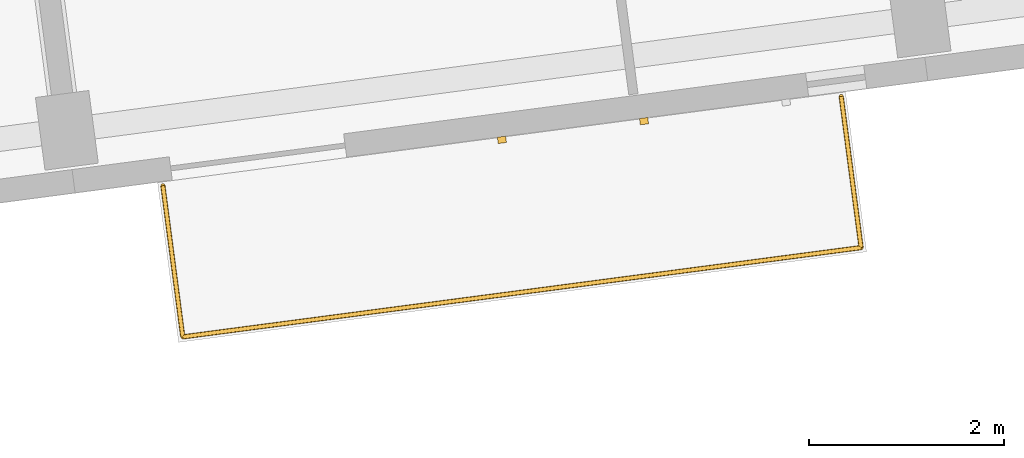
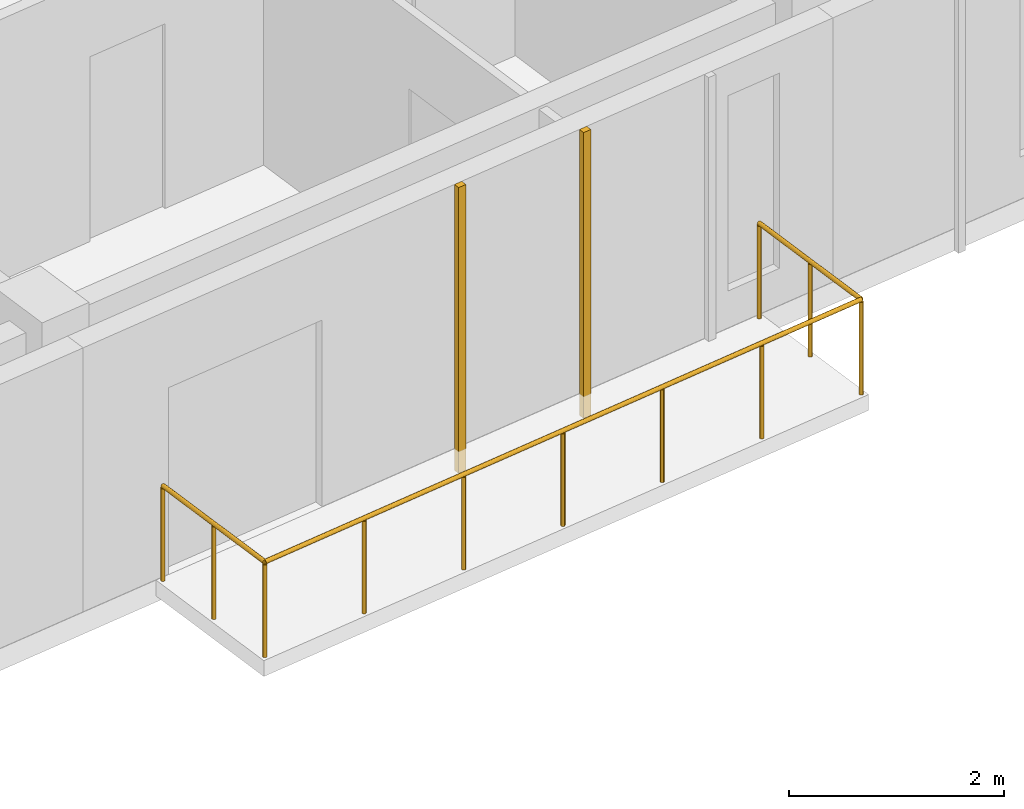
# One storey, part 43 of 66: 2 coverings, 1 railing.
"""IFC4 building model written with IfcOpenShell, lengths in metres."""

from ifc_helpers import new_model, si_unit, direction, frame, origin, origin_2d, place, context, subcontext, project, spatial, rectangle, circle, extrude, material, layer, layer_set, type_object, element, save


model = new_model("IFC4")

# Units and contexts
model_context = context("Model", 3, precision=1e-05, world=origin(), true_north=direction((0.0, 1.0)))
body_context = subcontext(model_context, "Body", "Model", "MODEL_VIEW")
ifc_project = project(units=[si_unit("LENGTHUNIT", "METRE"), si_unit("AREAUNIT", "SQUARE_METRE"), si_unit("VOLUMEUNIT", "CUBIC_METRE"), si_unit("PLANEANGLEUNIT", "RADIAN"), si_unit("MASSUNIT", "GRAM", prefix="KILO")], contexts=[model_context])

# Site, building, storey
site_placement = place(None, origin())
site = spatial("IfcSite", under=ifc_project, at=site_placement, CompositionType="ELEMENT")
building_placement = place(site_placement, origin())
building = spatial("IfcBuilding", under=site, at=building_placement, Name="Kestramere Prow Commons", CompositionType="ELEMENT")
storey_placement = place(building_placement, frame((0.0, 0.0, 14.89990234375)))
storey = spatial("IfcBuildingStorey", under=building, at=storey_placement, Name="L04", CompositionType="ELEMENT", Elevation=14.89990234375)

# Coverings
ifc_material_1 = material(Name="Weathered Zinc-Titanium Standing-Seam Cladding")
ifc_layer = layer(ifc_material_1, 0.074951171875)
ifc_layer_set = layer_set([ifc_layer], Name="Weathered Zinc-Titanium Standing-Seam Cladding")
covering_type = type_object("IfcCoveringType", Name="COV-CLAD-SEAM", PredefinedType="CLADDING", material=ifc_layer_set)
for number, where, z_axis, x_axis, name in (
    (1, (34.554443359375, 74.391357421875, -0.25), (0.0, 0.0, 1.0), (-0.991444861374, -0.13052619222, 0.0), "EW-A-L04-S-2 Standing-Seam Rib 2"),
    (2, (33.100341796875, 74.199951171875, -0.25), (0.0, 0.0, 1.0), (-0.991444861374, -0.13052619222, 0.0), "EW-A-L04-S-2 Standing-Seam Rib 3"),
):
    element("IfcCovering", number, at=place(storey_placement, frame(where, z_axis=z_axis, x_axis=x_axis)), inside=storey, type_object=covering_type, Name=name, PredefinedType="CLADDING", context=body_context, shape_type="SweptSolid", body=[
        extrude(rectangle(XDim=0.0849609375, YDim=0.06494140625, at=origin_2d()), origin(), (0.0, 0.0, 1.0), 3.25),
    ])

# Railing
ifc_material_2 = material(Name="Powder-Coated Aluminium 6063-T6", Category="aluminium")
railing_type = type_object("IfcRailingType", Name="GRD-BALC-1100", PredefinedType="BALUSTRADE", material=ifc_material_2)
railing_placement = place(storey_placement, frame((29.6318359375, 73.730712890625, 0.0)))
element("IfcRailing", 3, at=railing_placement, inside=storey, type_object=railing_type, Name="Block A L04 Balcony Guardrail 3", PredefinedType="BALUSTRADE", context=body_context, shape_type="SweptSolid", body=[
    extrude(circle(Radius=0.02392578125, at=origin_2d()), frame((0.0, 0.0, 1.076171875), z_axis=(0.130523335136, -0.991445237512, 0.0), x_axis=(0.991445237512, 0.130523335136, 0.0)), (0.0, 0.0, 1.0), 1.56005859375),
    extrude(circle(Radius=0.02392578125, at=origin_2d()), frame((0.20361328125, -1.546630859375, 1.076171875), z_axis=(0.991447052715, 0.13050954625, 0.0), x_axis=(-0.13050954625, 0.991447052715, 0.0)), (0.0, 0.0, 1.0), 7.0),
    extrude(circle(Radius=0.02392578125, at=origin_2d()), frame((7.143798828125, -0.633056640625, 1.076171875), z_axis=(-0.130523335136, 0.991445237512, 0.0), x_axis=(-0.991445237512, -0.130523335136, 0.0)), (0.0, 0.0, 1.0), 1.56005859375),
    extrude(circle(Radius=0.02099609375, at=origin_2d()), origin(), (0.0, 0.0, 1.0), 1.052001953125),
    extrude(circle(Radius=0.02099609375, at=origin_2d()), frame((0.101806640625, -0.7734375, 0.0)), (0.0, 0.0, 1.0), 1.052001953125),
    extrude(circle(Radius=0.02099609375, at=origin_2d()), frame((0.20361328125, -1.546630859375, 0.0)), (0.0, 0.0, 1.0), 1.052001953125),
    extrude(circle(Radius=0.02099609375, at=origin_2d()), frame((1.3603515625, -1.394287109375, 0.0)), (0.0, 0.0, 1.0), 1.052001953125),
    extrude(circle(Radius=0.02099609375, at=origin_2d()), frame((2.51708984375, -1.2421875, 0.0)), (0.0, 0.0, 1.0), 1.052001953125),
    extrude(circle(Radius=0.02099609375, at=origin_2d()), frame((3.673828125, -1.08984375, 0.0)), (0.0, 0.0, 1.0), 1.052001953125),
    extrude(circle(Radius=0.02099609375, at=origin_2d()), frame((4.830322265625, -0.9375, 0.0)), (0.0, 0.0, 1.0), 1.052001953125),
    extrude(circle(Radius=0.02099609375, at=origin_2d()), frame((5.987060546875, -0.785400390625, 0.0)), (0.0, 0.0, 1.0), 1.052001953125),
    extrude(circle(Radius=0.02099609375, at=origin_2d()), frame((7.143798828125, -0.633056640625, 0.0)), (0.0, 0.0, 1.0), 1.052001953125),
    extrude(circle(Radius=0.02099609375, at=origin_2d()), frame((7.0419921875, 0.14013671875, 0.0)), (0.0, 0.0, 1.0), 1.052001953125),
    extrude(circle(Radius=0.02099609375, at=origin_2d()), frame((6.940185546875, 0.91357421875, 0.0)), (0.0, 0.0, 1.0), 1.052001953125),
])

save(model, "model.ifc")
